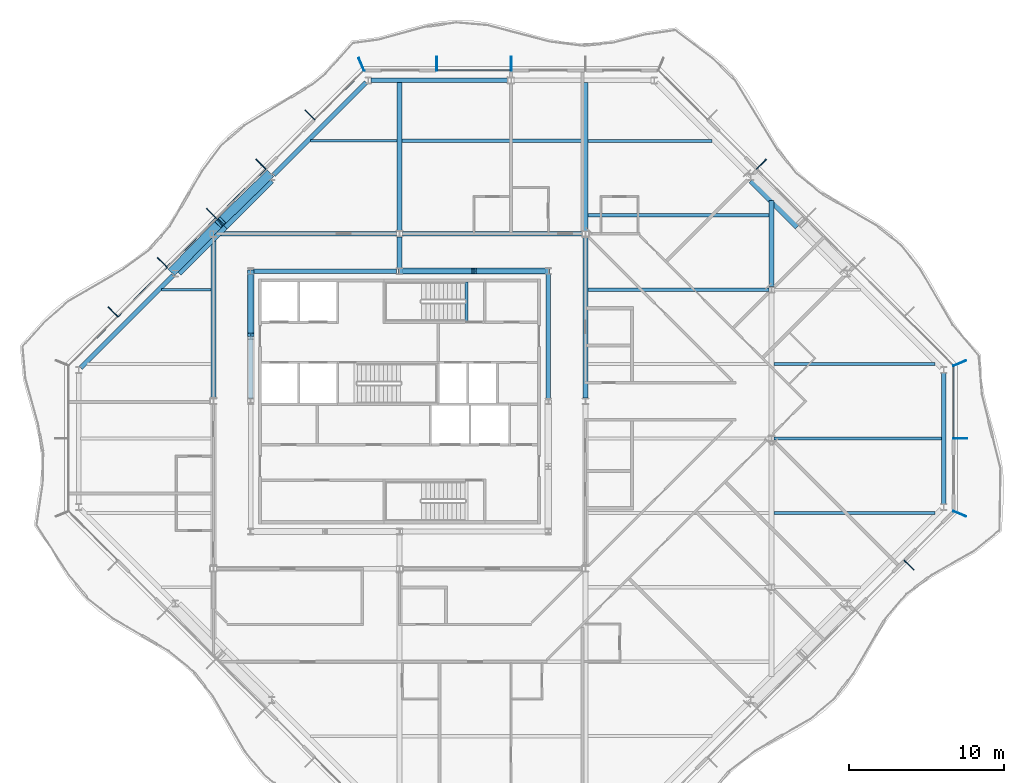
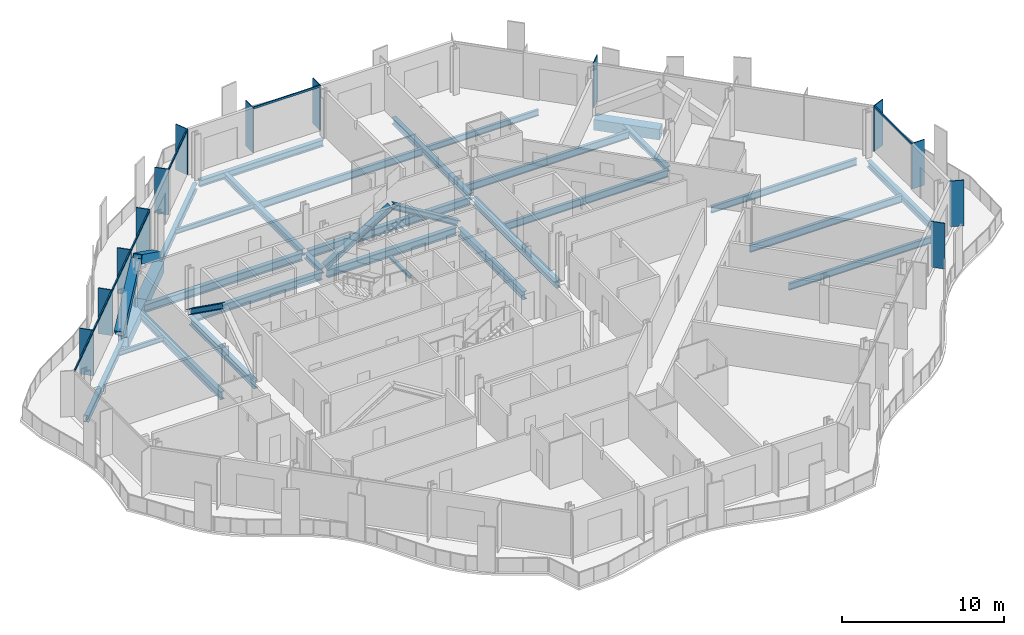
# One storey, part 4 of 17: 29 beams, 25 members, 5 elements without a shape of their own.
"""IFC4 building model written with IfcOpenShell, lengths in metres."""

from ifc_helpers import new_model, si_unit, direction, frame, origin, origin_2d, place, context, subcontext, project, spatial, rectangle, hollow_rectangle, i_section, extrude, material, material_profile, profile_set, type_object, element, aggregate, save


model = new_model("IFC4")

# Units and contexts
model_context = context("Model", 3, precision=1e-05, world=origin(), true_north=direction((0.0, 1.0)))
body_context = subcontext(model_context, "Body", "Model", "MODEL_VIEW")
ifc_project = project(units=[si_unit("LENGTHUNIT", "METRE"), si_unit("AREAUNIT", "SQUARE_METRE"), si_unit("VOLUMEUNIT", "CUBIC_METRE"), si_unit("PLANEANGLEUNIT", "RADIAN"), si_unit("MASSUNIT", "GRAM", prefix="KILO")], contexts=[model_context])

# Site, building, storey
site_placement = place(None, origin())
site = spatial("IfcSite", under=ifc_project, at=site_placement, CompositionType="ELEMENT")
building_placement = place(site_placement, origin())
building = spatial("IfcBuilding", under=site, at=building_placement, Name="Cairn Pilgrim Tower", CompositionType="ELEMENT")
storey_placement = place(building_placement, frame((0.0, 0.0, 228.60009765625)))
storey = spatial("IfcBuildingStorey", under=building, at=storey_placement, Name="L58", CompositionType="ELEMENT", Elevation=228.60009765625)

# Members
ifc_material_1 = material(Name="Structural steel S460M", Category="steel")
ifc_material_profile_1 = material_profile(ifc_material_1, hollow_rectangle(XDim=0.60009765625, YDim=0.60009765625, WallThickness=0.034912109375, at=origin_2d()), Name="BOX 600x600x35")
ifc_profile_set_1 = profile_set([ifc_material_profile_1], Name="Structural steel S460M")
member_type_1 = type_object("IfcMemberType", Name="BOX 600x600x35 BRACE", PredefinedType="BRACE", material=ifc_profile_set_1)
member_1_placement = place(storey_placement, frame((-1.22412109375, 17.00146484375, 0.14990234375), z_axis=(-0.609963251675, -0.594780866166, 0.523622528973), x_axis=(0.698140268834, -0.71596100804, 0.0)))
element("IfcMember", 1, at=member_1_placement, inside=storey, type_object=member_type_1, Name="XB-NW2-NW3-1", PredefinedType="BRACE", context=body_context, shape_type="SweptSolid", body=[
    extrude(hollow_rectangle(XDim=0.60009765625, YDim=0.60009765625, WallThickness=0.034912109375, at=origin_2d()), origin(), (0.0, 0.0, 1.0), 5.033203125),
])
member_2_placement = place(storey_placement, frame((-7.4013671875, 10.823974609375, 0.14990234375), z_axis=(0.59476326853, 0.609993709431, 0.523607036681), x_axis=(-0.715988756584, 0.698111810848, 0.0)))
element("IfcMember", 2, at=member_2_placement, inside=storey, type_object=member_type_1, Name="XB-NW2-NW3-2", PredefinedType="BRACE", context=body_context, shape_type="SweptSolid", body=[
    extrude(hollow_rectangle(XDim=0.60009765625, YDim=0.60009765625, WallThickness=0.034912109375, at=origin_2d()), origin(), (0.0, 0.0, 1.0), 5.033447265625),
])

# Beams
ifc_material_2 = material(Name="Structural steel S355J2", Category="steel")
ifc_material_profile_2 = material_profile(ifc_material_2, hollow_rectangle(XDim=0.699951171875, YDim=0.800048828125, WallThickness=0.0400390625, at=origin_2d()), Name="BOX 700x800x40")
ifc_profile_set_2 = profile_set([ifc_material_profile_2], Name="Structural steel S355J2")
beam_type_1 = type_object("IfcBeamType", Name="BOX 700x800x40 RING GIRDER", PredefinedType="SPANDREL", material=ifc_profile_set_2)
for number, where, z_axis, x_axis, name in (
    (3, (32.963623046875, 13.763671875, -0.550048828125), (-0.707106781187, 0.707106781187, 0.0), (-0.707106781187, -0.707106781187, 0.0), "RG3-NE2-NE3-2"),
    (4, (-1.183837890625, 16.743408203125, -0.550048828125), (-0.707106781187, -0.707106781187, 0.0), (0.707106781187, -0.707106781187, 0.0), "RG3-NW2-NW3-1"),
):
    element("IfcBeam", number, at=place(storey_placement, frame(where, z_axis=z_axis, x_axis=x_axis)), inside=storey, type_object=beam_type_1, Name=name, PredefinedType="SPANDREL", context=body_context, shape_type="SweptSolid", body=[
        extrude(hollow_rectangle(XDim=0.699951171875, YDim=0.800048828125, WallThickness=0.0400390625, at=origin_2d()), origin(), (0.0, 0.0, 1.0), 4.2138671875),
    ])
beam_1_placement = place(storey_placement, frame((-4.16357421875, 13.763671875, -0.550048828125), z_axis=(-0.707077813866, -0.707135747321, 0.0), x_axis=(0.707135747321, -0.707077813866, 0.0)))
element("IfcBeam", 5, at=beam_1_placement, inside=storey, type_object=beam_type_1, Name="RG3-NW2-NW3-2", PredefinedType="SPANDREL", context=body_context, shape_type="SweptSolid", body=[
    extrude(hollow_rectangle(XDim=0.699951171875, YDim=0.800048828125, WallThickness=0.0400390625, at=origin_2d()), origin(), (0.0, 0.0, 1.0), 4.214111328125),
])

# Curtain wall, member
ifc_material_3 = material(Name="Aluminium alloy 6063-T6 bronze anodised with Bronze tinted laminated low-E glass 8+16+8.8", Category="aluminium")
curtain_wall_type_1 = type_object("IfcCurtainWallType", Name="CHAMFER CORNER CURTAIN WALL", PredefinedType="NOTDEFINED", material=ifc_material_3)
curtain_wall_1_placement = place(storey_placement, origin())
curtain_wall_1 = element("IfcCurtainWall", 6, at=curtain_wall_1_placement, inside=storey, type_object=curtain_wall_type_1, Name="Chamfer Corner Curtain Wall SE", PredefinedType="NOTDEFINED")
ifc_material_4 = material(Name="Aluminium alloy 6063-T6 bronze anodised", Category="aluminium")
ifc_material_profile_3 = material_profile(ifc_material_4, rectangle(XDim=0.89990234375, YDim=0.06005859375, at=origin_2d()), Name="FIN MULLION 60x900 BRONZE")
ifc_profile_set_3 = profile_set([ifc_material_profile_3], Name="Aluminium alloy 6063-T6 bronze anodised")
member_type_2 = type_object("IfcMemberType", Name="FIN MULLION 60x900 BRONZE", PredefinedType="MULLION", material=ifc_profile_set_3)
member_3_placement = place(storey_placement, frame((40.0712890625, -8.1689453125, 0.0), z_axis=(0.0, 0.0, 1.0), x_axis=(0.707106781187, -0.707106781187, 0.0)))
member_3 = element("IfcMember", 7, at=member_3_placement, type_object=member_type_2, Name="Fin mullion SE6", PredefinedType="MULLION", context=body_context, shape_type="SweptSolid", body=[
    extrude(rectangle(XDim=0.89990234375, YDim=0.06005859375, at=origin_2d()), origin(), (0.0, 0.0, 1.0), 3.449951171875),
])
aggregate(curtain_wall_1, [member_3])

# Curtain wall, members
curtain_wall_type_2 = type_object("IfcCurtainWallType", Name="TOWER STICK CURTAIN WALL EW", PredefinedType="NOTDEFINED", material=ifc_material_3)
curtain_wall_2_placement = place(storey_placement, origin())
curtain_wall_2 = element("IfcCurtainWall", 8, at=curtain_wall_2_placement, inside=storey, type_object=curtain_wall_type_2, Name="Tower Stick Curtain Wall Ew E", PredefinedType="NOTDEFINED")
member_4_placement = place(storey_placement, frame((43.338134765625, -4.857177734375, 0.0), z_axis=(0.0, 0.0, 1.0), x_axis=(0.923879532511, -0.382683432365, 0.0)))
member_4 = element("IfcMember", 9, at=member_4_placement, type_object=member_type_2, Name="Fin mullion E1", PredefinedType="MULLION", context=body_context, shape_type="SweptSolid", body=[
    extrude(rectangle(XDim=0.89990234375, YDim=0.06005859375, at=origin_2d()), origin(), (0.0, 0.0, 1.0), 3.449951171875),
])
member_5_placement = place(storey_placement, frame((43.3701171875, 0.0, 0.0), z_axis=(0.0, 0.0, 1.0), x_axis=(1.0, 0.0, 0.0)))
member_5 = element("IfcMember", 10, at=member_5_placement, type_object=member_type_2, Name="Fin mullion E2", PredefinedType="MULLION", context=body_context, shape_type="SweptSolid", body=[
    extrude(rectangle(XDim=0.89990234375, YDim=0.06005859375, at=origin_2d()), origin(), (0.0, 0.0, 1.0), 3.449951171875),
])

curtain_wall_3_placement = place(storey_placement, origin())
curtain_wall_3 = element("IfcCurtainWall", 11, at=curtain_wall_3_placement, inside=storey, type_object=curtain_wall_type_1, Name="Chamfer Corner Curtain Wall NE", PredefinedType="NOTDEFINED")
member_6_placement = place(storey_placement, frame((43.338134765625, 4.857177734375, 0.0), z_axis=(0.0, 0.0, 1.0), x_axis=(0.923879532511, 0.382683432365, 0.0)))
member_6 = element("IfcMember", 12, at=member_6_placement, type_object=member_type_2, Name="Fin mullion NE1", PredefinedType="MULLION", context=body_context, shape_type="SweptSolid", body=[
    extrude(rectangle(XDim=0.89990234375, YDim=0.06005859375, at=origin_2d()), origin(), (0.0, 0.0, 1.0), 3.449951171875),
])
member_7_placement = place(storey_placement, frame((30.544677734375, 17.69580078125, 0.0), z_axis=(0.0, 0.0, 1.0), x_axis=(0.707106781187, 0.707106781187, 0.0)))
member_7 = element("IfcMember", 13, at=member_7_placement, type_object=member_type_2, Name="Fin mullion NE5", PredefinedType="MULLION", context=body_context, shape_type="SweptSolid", body=[
    extrude(rectangle(XDim=0.89990234375, YDim=0.06005859375, at=origin_2d()), origin(), (0.0, 0.0, 1.0), 3.449951171875),
])
aggregate(curtain_wall_3, [member_6, member_7])

curtain_wall_type_3 = type_object("IfcCurtainWallType", Name="TOWER STICK CURTAIN WALL NS", PredefinedType="NOTDEFINED", material=ifc_material_3)
curtain_wall_4_placement = place(storey_placement, origin())
curtain_wall_4 = element("IfcCurtainWall", 14, at=curtain_wall_4_placement, inside=storey, type_object=curtain_wall_type_3, Name="Tower Stick Curtain Wall Ns N", PredefinedType="NOTDEFINED")
member_8_placement = place(storey_placement, frame((14.39990234375, 24.169921875, 0.0), z_axis=(0.0, 0.0, 1.0), x_axis=(0.0, 1.0, 0.0)))
member_8 = element("IfcMember", 15, at=member_8_placement, type_object=member_type_2, Name="Fin mullion N3", PredefinedType="MULLION", context=body_context, shape_type="SweptSolid", body=[
    extrude(rectangle(XDim=0.89990234375, YDim=0.06005859375, at=origin_2d()), origin(), (0.0, 0.0, 1.0), 3.449951171875),
])
member_9_placement = place(storey_placement, frame((9.60009765625, 24.169921875, 0.0), z_axis=(0.0, 0.0, 1.0), x_axis=(0.0, 1.0, 0.0)))
member_9 = element("IfcMember", 16, at=member_9_placement, type_object=member_type_2, Name="Fin mullion N4", PredefinedType="MULLION", context=body_context, shape_type="SweptSolid", body=[
    extrude(rectangle(XDim=0.89990234375, YDim=0.06005859375, at=origin_2d()), origin(), (0.0, 0.0, 1.0), 3.449951171875),
])

curtain_wall_5_placement = place(storey_placement, origin())
curtain_wall_5 = element("IfcCurtainWall", 17, at=curtain_wall_5_placement, inside=storey, type_object=curtain_wall_type_1, Name="Chamfer Corner Curtain Wall NW", PredefinedType="NOTDEFINED")
member_10_placement = place(storey_placement, frame((4.742919921875, 24.137939453125, 0.0), z_axis=(0.0, 0.0, 1.0), x_axis=(-0.382683432365, 0.923879532511, 0.0)))
member_10 = element("IfcMember", 18, at=member_10_placement, type_object=member_type_2, Name="Fin mullion NW1", PredefinedType="MULLION", context=body_context, shape_type="SweptSolid", body=[
    extrude(rectangle(XDim=0.89990234375, YDim=0.06005859375, at=origin_2d()), origin(), (0.0, 0.0, 1.0), 3.449951171875),
])
member_11_placement = place(storey_placement, frame((1.430908203125, 20.871337890625, 0.0), z_axis=(0.0, 0.0, 1.0), x_axis=(-0.707106781187, 0.707106781187, 0.0)))
member_11 = element("IfcMember", 19, at=member_11_placement, type_object=member_type_2, Name="Fin mullion NW2", PredefinedType="MULLION", context=body_context, shape_type="SweptSolid", body=[
    extrude(rectangle(XDim=0.89990234375, YDim=0.06005859375, at=origin_2d()), origin(), (0.0, 0.0, 1.0), 3.449951171875),
])
member_12_placement = place(storey_placement, frame((-1.74462890625, 17.69580078125, 0.0), z_axis=(0.0, 0.0, 1.0), x_axis=(-0.707106781187, 0.707106781187, 0.0)))
member_12 = element("IfcMember", 20, at=member_12_placement, type_object=member_type_2, Name="Fin mullion NW3", PredefinedType="MULLION", context=body_context, shape_type="SweptSolid", body=[
    extrude(rectangle(XDim=0.89990234375, YDim=0.06005859375, at=origin_2d()), origin(), (0.0, 0.0, 1.0), 3.449951171875),
])
member_13_placement = place(storey_placement, frame((-4.920166015625, 14.520263671875, 0.0), z_axis=(0.0, 0.0, 1.0), x_axis=(-0.707106781187, 0.707106781187, 0.0)))
member_13 = element("IfcMember", 21, at=member_13_placement, type_object=member_type_2, Name="Fin mullion NW4", PredefinedType="MULLION", context=body_context, shape_type="SweptSolid", body=[
    extrude(rectangle(XDim=0.89990234375, YDim=0.06005859375, at=origin_2d()), origin(), (0.0, 0.0, 1.0), 3.449951171875),
])
member_14_placement = place(storey_placement, frame((-8.095703125, 11.3447265625, 0.0), z_axis=(0.0, 0.0, 1.0), x_axis=(-0.707106781187, 0.707106781187, 0.0)))
member_14 = element("IfcMember", 22, at=member_14_placement, type_object=member_type_2, Name="Fin mullion NW5", PredefinedType="MULLION", context=body_context, shape_type="SweptSolid", body=[
    extrude(rectangle(XDim=0.89990234375, YDim=0.06005859375, at=origin_2d()), origin(), (0.0, 0.0, 1.0), 3.449951171875),
])
member_15_placement = place(storey_placement, frame((-11.271484375, 8.1689453125, 0.0), z_axis=(0.0, 0.0, 1.0), x_axis=(-0.707106781187, 0.707106781187, 0.0)))
member_15 = element("IfcMember", 23, at=member_15_placement, type_object=member_type_2, Name="Fin mullion NW6", PredefinedType="MULLION", context=body_context, shape_type="SweptSolid", body=[
    extrude(rectangle(XDim=0.89990234375, YDim=0.06005859375, at=origin_2d()), origin(), (0.0, 0.0, 1.0), 3.449951171875),
])

# Members
ifc_material_profile_4 = material_profile(ifc_material_2, i_section(OverallWidth=0.39794921875, OverallDepth=0.386962890625, WebThickness=0.02099609375, FlangeThickness=0.033203125, FilletRadius=0.014892578125, at=origin_2d()), Name="HD 400x262")
ifc_profile_set_4 = profile_set([ifc_material_profile_4], Name="Structural steel S355J2")
member_type_3 = type_object("IfcMemberType", Name="HD 400x262 BRACE", PredefinedType="BRACE", material=ifc_profile_set_4)
for number, where, z_axis, x_axis, name in (
    (24, (16.759521484375, 10.800048828125, 0.099853515625), (-0.851160677397, 0.0, 0.524905230736), (0.0, -1.0, 0.0), "KB-3A"),
    (25, (7.240478515625, 10.800048828125, 0.099853515625), (0.851160677397, 0.0, 0.524905230736), (0.0, 1.0, 0.0), "KB-3B"),
):
    element("IfcMember", number, at=place(storey_placement, frame(where, z_axis=z_axis, x_axis=x_axis)), inside=storey, type_object=member_type_3, Name=name, PredefinedType="BRACE", context=body_context, shape_type="SweptSolid", body=[
        extrude(i_section(OverallWidth=0.39794921875, OverallDepth=0.386962890625, WebThickness=0.02099609375, FlangeThickness=0.033203125, FilletRadius=0.014892578125, at=origin_2d()), origin(), (0.0, 0.0, 1.0), 5.529296875),
    ])
member_16_placement = place(storey_placement, frame((-2.39990234375, 10.759521484375, 0.099853515625), z_axis=(0.0, -0.814412678688, 0.580286126659), x_axis=(1.0, 0.0, 0.0)))
element("IfcMember", 26, at=member_16_placement, inside=storey, type_object=member_type_3, Name="KB-4A", PredefinedType="BRACE", context=body_context, shape_type="SweptSolid", body=[
    extrude(i_section(OverallWidth=0.39794921875, OverallDepth=0.386962890625, WebThickness=0.02099609375, FlangeThickness=0.033203125, FilletRadius=0.014892578125, at=origin_2d()), origin(), (0.0, 0.0, 1.0), 4.9990234375),
])

# Beams
ifc_material_profile_5 = material_profile(ifc_material_2, i_section(OverallWidth=0.300048828125, OverallDepth=0.39990234375, WebThickness=0.013427734375, FlangeThickness=0.02392578125, FilletRadius=0.027099609375, at=origin_2d()), Name="HEB 400")
ifc_profile_set_5 = profile_set([ifc_material_profile_5], Name="Structural steel S355J2")
beam_type_2 = type_object("IfcBeamType", Name="HEB 400 GIRDER", PredefinedType="BEAM", material=ifc_profile_set_5)
beam_2_placement = place(storey_placement, frame((7.199951171875, 11.001953125, -0.35009765625), z_axis=(0.0, 1.0, 0.0), x_axis=(-1.0, 0.0, 0.0)))
element("IfcBeam", 27, at=beam_2_placement, inside=storey, type_object=beam_type_2, Name="PG3-E2", PredefinedType="BEAM", context=body_context, shape_type="SweptSolid", body=[
    extrude(i_section(OverallWidth=0.300048828125, OverallDepth=0.39990234375, WebThickness=0.013427734375, FlangeThickness=0.02392578125, FilletRadius=0.027099609375, at=origin_2d()), origin(), (0.0, 0.0, 1.0), 1.99853515625),
])
beam_3_placement = place(storey_placement, frame((31.199951171875, 9.799560546875, -0.35009765625), z_axis=(0.0, 1.0, 0.0), x_axis=(-1.0, 0.0, 0.0)))
element("IfcBeam", 28, at=beam_3_placement, inside=storey, type_object=beam_type_2, Name="PG5-4", PredefinedType="BEAM", context=body_context, shape_type="SweptSolid", body=[
    extrude(i_section(OverallWidth=0.300048828125, OverallDepth=0.39990234375, WebThickness=0.013427734375, FlangeThickness=0.02392578125, FilletRadius=0.027099609375, at=origin_2d()), origin(), (0.0, 0.0, 1.0), 5.545654296875),
])
ifc_material_profile_6 = material_profile(ifc_material_2, i_section(OverallWidth=0.300048828125, OverallDepth=0.5, WebThickness=0.014404296875, FlangeThickness=0.028076171875, FilletRadius=0.027099609375, at=origin_2d()), Name="HEB 500")
ifc_profile_set_6 = profile_set([ifc_material_profile_6], Name="Structural steel S355J2")
beam_type_3 = type_object("IfcBeamType", Name="HEB 500 GIRDER", PredefinedType="BEAM", material=ifc_profile_set_6)
for number, where, z_axis, x_axis, name in (
    (29, (7.199951171875, 13.3994140625, -0.400146484375), (0.0, 1.0, 0.0), (-1.0, 0.0, 0.0), "PG3-2"),
    (30, (19.199951171875, 13.3994140625, -0.400146484375), (0.0, 1.0, 0.0), (-1.0, 0.0, 0.0), "PG4-4"),
):
    element("IfcBeam", number, at=place(storey_placement, frame(where, z_axis=z_axis, x_axis=x_axis)), inside=storey, type_object=beam_type_3, Name=name, PredefinedType="BEAM", context=body_context, shape_type="SweptSolid", body=[
        extrude(i_section(OverallWidth=0.300048828125, OverallDepth=0.5, WebThickness=0.014404296875, FlangeThickness=0.028076171875, FilletRadius=0.027099609375, at=origin_2d()), origin(), (0.0, 0.0, 1.0), 9.58056640625),
    ])
ifc_material_profile_7 = material_profile(ifc_material_2, i_section(OverallWidth=0.300048828125, OverallDepth=0.5, WebThickness=0.014404296875, FlangeThickness=0.028076171875, FilletRadius=0.027099609375, at=origin_2d()), Name="HEB 500")
ifc_profile_set_7 = profile_set([ifc_material_profile_7], Name="Structural steel S355J2")
beam_type_4 = type_object("IfcBeamType", Name="HEB 500 RING GIRDER", PredefinedType="SPANDREL", material=ifc_profile_set_7)
beam_4_placement = place(storey_placement, frame((42.300048828125, -4.239990234375, -0.400146484375), z_axis=(0.0, 1.0, 0.0), x_axis=(-1.0, 0.0, 0.0)))
element("IfcBeam", 31, at=beam_4_placement, inside=storey, type_object=beam_type_4, Name="RG3-E1-NE1", PredefinedType="SPANDREL", context=body_context, shape_type="SweptSolid", body=[
    extrude(i_section(OverallWidth=0.300048828125, OverallDepth=0.5, WebThickness=0.014404296875, FlangeThickness=0.028076171875, FilletRadius=0.027099609375, at=origin_2d()), origin(), (0.0, 0.0, 1.0), 8.47998046875),
])
beam_5_placement = place(storey_placement, frame((14.212890625, 23.10009765625, -0.400146484375), z_axis=(-1.0, 0.0, 0.0), x_axis=(0.0, -1.0, 0.0)))
element("IfcBeam", 32, at=beam_5_placement, inside=storey, type_object=beam_type_4, Name="RG3-N2-NW1", PredefinedType="SPANDREL", context=body_context, shape_type="SweptSolid", body=[
    extrude(i_section(OverallWidth=0.300048828125, OverallDepth=0.5, WebThickness=0.014404296875, FlangeThickness=0.028076171875, FilletRadius=0.027099609375, at=origin_2d()), origin(), (0.0, 0.0, 1.0), 8.852783203125),
])
for number, where, z_axis, x_axis, name in (
    (33, (5.040283203125, 22.967529296875, -0.400146484375), (-0.707106781187, -0.707106781187, 0.0), (0.707106781187, -0.707106781187, 0.0), "RG3-NW1-NW2"),
    (34, (-7.408203125, 10.51904296875, -0.400146484375), (-0.707106781187, -0.707106781187, 0.0), (0.707106781187, -0.707106781187, 0.0), "RG3-NW3-W1"),
):
    element("IfcBeam", number, at=place(storey_placement, frame(where, z_axis=z_axis, x_axis=x_axis)), inside=storey, type_object=beam_type_4, Name=name, PredefinedType="SPANDREL", context=body_context, shape_type="SweptSolid", body=[
        extrude(i_section(OverallWidth=0.300048828125, OverallDepth=0.5, WebThickness=0.014404296875, FlangeThickness=0.028076171875, FilletRadius=0.027099609375, at=origin_2d()), origin(), (0.0, 0.0, 1.0), 8.427978515625),
    ])
ifc_material_profile_8 = material_profile(ifc_material_2, i_section(OverallWidth=0.300048828125, OverallDepth=0.60009765625, WebThickness=0.015380859375, FlangeThickness=0.030029296875, FilletRadius=0.027099609375, at=origin_2d()), Name="HEB 600")
ifc_profile_set_8 = profile_set([ifc_material_profile_8], Name="Structural steel S355J2")
beam_type_5 = type_object("IfcBeamType", Name="HEB 600 CORE BEAM", PredefinedType="BEAM", material=ifc_profile_set_8)
beam_6_placement = place(storey_placement, frame((16.800048828125, 2.581787109375, -0.4501953125), z_axis=(0.0, 1.0, 0.0), x_axis=(-1.0, 0.0, 0.0)))
element("IfcBeam", 35, at=beam_6_placement, inside=storey, type_object=beam_type_5, Name="CB-4", PredefinedType="BEAM", context=body_context, shape_type="SweptSolid", body=[
    extrude(i_section(OverallWidth=0.300048828125, OverallDepth=0.60009765625, WebThickness=0.015380859375, FlangeThickness=0.030029296875, FilletRadius=0.027099609375, at=origin_2d()), origin(), (0.0, 0.0, 1.0), 8.036376953125),
])
beam_7_placement = place(storey_placement, frame((16.6181640625, 10.800048828125, -0.4501953125), z_axis=(-1.0, 0.0, 0.0), x_axis=(0.0, -1.0, 0.0)))
element("IfcBeam", 36, at=beam_7_placement, inside=storey, type_object=beam_type_5, Name="CB-5", PredefinedType="BEAM", context=body_context, shape_type="SweptSolid", body=[
    extrude(i_section(OverallWidth=0.300048828125, OverallDepth=0.60009765625, WebThickness=0.015380859375, FlangeThickness=0.030029296875, FilletRadius=0.027099609375, at=origin_2d()), origin(), (0.0, 0.0, 1.0), 9.236328125),
])
beam_8_placement = place(storey_placement, frame((7.018310546875, 10.800048828125, -0.4501953125), z_axis=(-1.0, 0.0, 0.0), x_axis=(0.0, -1.0, 0.0)))
element("IfcBeam", 37, at=beam_8_placement, inside=storey, type_object=beam_type_5, Name="CB-6", PredefinedType="BEAM", context=body_context, shape_type="SweptSolid", body=[
    extrude(i_section(OverallWidth=0.300048828125, OverallDepth=0.60009765625, WebThickness=0.015380859375, FlangeThickness=0.030029296875, FilletRadius=0.027099609375, at=origin_2d()), origin(), (0.0, 0.0, 1.0), 9.236572265625),
])
beam_9_placement = place(storey_placement, frame((-2.39990234375, 10.6181640625, -0.4501953125), z_axis=(0.0, -1.0, 0.0), x_axis=(1.0, 0.0, 0.0)))
element("IfcBeam", 38, at=beam_9_placement, inside=storey, type_object=beam_type_5, Name="CB-7", PredefinedType="BEAM", context=body_context, shape_type="SweptSolid", body=[
    extrude(i_section(OverallWidth=0.300048828125, OverallDepth=0.60009765625, WebThickness=0.015380859375, FlangeThickness=0.030029296875, FilletRadius=0.027099609375, at=origin_2d()), origin(), (0.0, 0.0, 1.0), 8.036376953125),
])
ifc_material_profile_9 = material_profile(ifc_material_2, i_section(OverallWidth=0.300048828125, OverallDepth=0.60009765625, WebThickness=0.015380859375, FlangeThickness=0.030029296875, FilletRadius=0.027099609375, at=origin_2d()), Name="HEB 600")
ifc_profile_set_9 = profile_set([ifc_material_profile_9], Name="Structural steel S355J2")
beam_type_6 = type_object("IfcBeamType", Name="HEB 600 GIRDER", PredefinedType="BEAM", material=ifc_profile_set_9)
beam_10_placement = place(storey_placement, frame((-4.800048828125, 2.599609375, -0.4501953125), z_axis=(0.0, 1.0, 0.0), x_axis=(-1.0, 0.0, 0.0)))
element("IfcBeam", 39, at=beam_10_placement, inside=storey, type_object=beam_type_6, Name="PG2-3", PredefinedType="BEAM", context=body_context, shape_type="SweptSolid", body=[
    extrude(i_section(OverallWidth=0.300048828125, OverallDepth=0.60009765625, WebThickness=0.015380859375, FlangeThickness=0.030029296875, FilletRadius=0.027099609375, at=origin_2d()), origin(), (0.0, 0.0, 1.0), 10.345458984375),
])
beam_11_placement = place(storey_placement, frame((19.199951171875, 2.599609375, -0.4501953125), z_axis=(0.0, 1.0, 0.0), x_axis=(-1.0, 0.0, 0.0)))
element("IfcBeam", 40, at=beam_11_placement, inside=storey, type_object=beam_type_6, Name="PG4-3", PredefinedType="BEAM", context=body_context, shape_type="SweptSolid", body=[
    extrude(i_section(OverallWidth=0.300048828125, OverallDepth=0.60009765625, WebThickness=0.015380859375, FlangeThickness=0.030029296875, FilletRadius=0.027099609375, at=origin_2d()), origin(), (0.0, 0.0, 1.0), 10.40087890625),
])
ifc_material_profile_10 = material_profile(ifc_material_2, i_section(OverallWidth=0.300048828125, OverallDepth=0.60009765625, WebThickness=0.015380859375, FlangeThickness=0.030029296875, FilletRadius=0.027099609375, at=origin_2d()), Name="HEB 600")
ifc_profile_set_10 = profile_set([ifc_material_profile_10], Name="Structural steel S355J2")
beam_type_7 = type_object("IfcBeamType", Name="HEB 600 INNER GIRDER", PredefinedType="BEAM", material=ifc_profile_set_10)
for number, where, z_axis, x_axis, name in (
    (41, (-4.6005859375, 13.199951171875, -0.4501953125), (1.0, 0.0, 0.0), (0.0, 1.0, 0.0), "IG2-1"),
    (42, (7.3994140625, 13.199951171875, -0.4501953125), (1.0, 0.0, 0.0), (0.0, 1.0, 0.0), "IG2-2"),
):
    element("IfcBeam", number, at=place(storey_placement, frame(where, z_axis=z_axis, x_axis=x_axis)), inside=storey, type_object=beam_type_7, Name=name, PredefinedType="BEAM", context=body_context, shape_type="SweptSolid", body=[
        extrude(i_section(OverallWidth=0.300048828125, OverallDepth=0.60009765625, WebThickness=0.015380859375, FlangeThickness=0.030029296875, FilletRadius=0.027099609375, at=origin_2d()), origin(), (0.0, 0.0, 1.0), 11.60107421875),
    ])
ifc_material_profile_11 = material_profile(ifc_material_2, i_section(OverallWidth=0.169921875, OverallDepth=0.360107421875, WebThickness=0.008056640625, FlangeThickness=0.0126953125, FilletRadius=0.01806640625, at=origin_2d()), Name="IPE 360")
ifc_profile_set_11 = profile_set([ifc_material_profile_11], Name="Structural steel S355J2")
beam_type_8 = type_object("IfcBeamType", Name="IPE 360 SECONDARY BEAM", PredefinedType="JOIST", material=ifc_profile_set_11)
beam_12_placement = place(storey_placement, frame((-8.14501953125, 9.60009765625, -0.330078125), z_axis=(1.0, 0.0, 0.0), x_axis=(0.0, 1.0, 0.0)))
element("IfcBeam", 43, at=beam_12_placement, inside=storey, type_object=beam_type_8, Name="SB7-1", PredefinedType="JOIST", context=body_context, shape_type="SweptSolid", body=[
    extrude(i_section(OverallWidth=0.169921875, OverallDepth=0.360107421875, WebThickness=0.008056640625, FlangeThickness=0.0126953125, FilletRadius=0.01806640625, at=origin_2d()), origin(), (0.0, 0.0, 1.0), 3.195068359375),
])
beam_13_placement = place(storey_placement, frame((1.454833984375, 19.199951171875, -0.330078125), z_axis=(1.0, 0.0, 0.0), x_axis=(0.0, 1.0, 0.0)))
element("IfcBeam", 44, at=beam_13_placement, inside=storey, type_object=beam_type_8, Name="SB9-1", PredefinedType="JOIST", context=body_context, shape_type="SweptSolid", body=[
    extrude(i_section(OverallWidth=0.169921875, OverallDepth=0.360107421875, WebThickness=0.008056640625, FlangeThickness=0.0126953125, FilletRadius=0.01806640625, at=origin_2d()), origin(), (0.0, 0.0, 1.0), 5.59521484375),
])
ifc_material_profile_12 = material_profile(ifc_material_2, i_section(OverallWidth=0.18994140625, OverallDepth=0.449951171875, WebThickness=0.009521484375, FlangeThickness=0.0146484375, FilletRadius=0.02099609375, at=origin_2d()), Name="IPE 450")
ifc_profile_set_12 = profile_set([ifc_material_profile_12], Name="Structural steel S355J2")
beam_type_9 = type_object("IfcBeamType", Name="IPE 450 SECONDARY BEAM", PredefinedType="JOIST", material=ifc_profile_set_12)
beam_14_placement = place(storey_placement, frame((19.35009765625, 19.199951171875, -0.375), z_axis=(1.0, 0.0, 0.0), x_axis=(0.0, 1.0, 0.0)))
element("IfcBeam", 45, at=beam_14_placement, inside=storey, type_object=beam_type_9, Name="SB9-3", PredefinedType="JOIST", context=body_context, shape_type="SweptSolid", body=[
    extrude(i_section(OverallWidth=0.18994140625, OverallDepth=0.449951171875, WebThickness=0.009521484375, FlangeThickness=0.0146484375, FilletRadius=0.02099609375, at=origin_2d()), origin(), (0.0, 0.0, 1.0), 7.9951171875),
])
ifc_material_profile_13 = material_profile(ifc_material_2, i_section(OverallWidth=0.199951171875, OverallDepth=0.5, WebThickness=0.01025390625, FlangeThickness=0.01611328125, FilletRadius=0.02099609375, at=origin_2d()), Name="IPE 500")
ifc_profile_set_13 = profile_set([ifc_material_profile_13], Name="Structural steel S355J2")
beam_type_10 = type_object("IfcBeamType", Name="IPE 500 SECONDARY BEAM", PredefinedType="JOIST", material=ifc_profile_set_13)
for number, where, z_axis, x_axis, name in (
    (46, (31.35009765625, -4.800048828125, -0.400146484375), (1.0, 0.0, 0.0), (0.0, 1.0, 0.0), "SB4-3"),
    (47, (31.35009765625, 4.800048828125, -0.400146484375), (1.0, 0.0, 0.0), (0.0, 1.0, 0.0), "SB6-3"),
):
    element("IfcBeam", number, at=place(storey_placement, frame(where, z_axis=z_axis, x_axis=x_axis)), inside=storey, type_object=beam_type_10, Name=name, PredefinedType="JOIST", context=body_context, shape_type="SweptSolid", body=[
        extrude(i_section(OverallWidth=0.199951171875, OverallDepth=0.5, WebThickness=0.01025390625, FlangeThickness=0.01611328125, FilletRadius=0.02099609375, at=origin_2d()), origin(), (0.0, 0.0, 1.0), 10.39501953125),
    ])
ifc_material_profile_14 = material_profile(ifc_material_2, i_section(OverallWidth=0.2099609375, OverallDepth=0.550048828125, WebThickness=0.010986328125, FlangeThickness=0.01708984375, FilletRadius=0.02392578125, at=origin_2d()), Name="IPE 550")
ifc_profile_set_14 = profile_set([ifc_material_profile_14], Name="Structural steel S355J2")
beam_type_11 = type_object("IfcBeamType", Name="IPE 550 SECONDARY BEAM", PredefinedType="JOIST", material=ifc_profile_set_14)
beam_15_placement = place(storey_placement, frame((31.35009765625, 0.0, -0.425048828125), z_axis=(1.0, 0.0, 0.0), x_axis=(0.0, 1.0, 0.0)))
element("IfcBeam", 48, at=beam_15_placement, inside=storey, type_object=beam_type_11, Name="SB5-3", PredefinedType="JOIST", context=body_context, shape_type="SweptSolid", body=[
    extrude(i_section(OverallWidth=0.2099609375, OverallDepth=0.550048828125, WebThickness=0.010986328125, FlangeThickness=0.01708984375, FilletRadius=0.02392578125, at=origin_2d()), origin(), (0.0, 0.0, 1.0), 10.829833984375),
])
for number, where, z_axis, x_axis, name in (
    (49, (19.35009765625, 9.60009765625, -0.425048828125), (1.0, 0.0, 0.0), (0.0, 1.0, 0.0), "SB7-2"),
    (50, (19.35009765625, 14.39990234375, -0.425048828125), (1.0, 0.0, 0.0), (0.0, 1.0, 0.0), "SB8-1"),
    (51, (7.35009765625, 19.199951171875, -0.425048828125), (1.0, 0.0, 0.0), (0.0, 1.0, 0.0), "SB9-2"),
):
    element("IfcBeam", number, at=place(storey_placement, frame(where, z_axis=z_axis, x_axis=x_axis)), inside=storey, type_object=beam_type_11, Name=name, PredefinedType="JOIST", context=body_context, shape_type="SweptSolid", body=[
        extrude(i_section(OverallWidth=0.2099609375, OverallDepth=0.550048828125, WebThickness=0.010986328125, FlangeThickness=0.01708984375, FilletRadius=0.02392578125, at=origin_2d()), origin(), (0.0, 0.0, 1.0), 11.699951171875),
    ])
ifc_material_profile_15 = material_profile(ifc_material_2, i_section(OverallWidth=0.199951171875, OverallDepth=0.199951171875, WebThickness=0.009033203125, FlangeThickness=0.014892578125, FilletRadius=0.01806640625, at=origin_2d()), Name="HE 200 B")
ifc_profile_set_15 = profile_set([ifc_material_profile_15], Name="Structural steel S355J2")
beam_type_12 = type_object("IfcBeamType", Name="STAIR LANDING BEAM HE 200 B", PredefinedType="BEAM", material=ifc_profile_set_15)
beam_16_placement = place(storey_placement, frame((11.5244140625, 10.10009765625, -0.25), z_axis=(0.0, -1.0, 0.0), x_axis=(1.0, 0.0, 0.0)))
element("IfcBeam", 52, at=beam_16_placement, inside=storey, type_object=beam_type_12, Name="STAIR LANDING BEAM LD-HE200B", PredefinedType="BEAM", context=body_context, shape_type="SweptSolid", body=[
    extrude(i_section(OverallWidth=0.199951171875, OverallDepth=0.199951171875, WebThickness=0.009033203125, FlangeThickness=0.014892578125, FilletRadius=0.01806640625, at=origin_2d()), origin(), (0.0, 0.0, 1.0), 2.525146484375),
])

# Member
ifc_material_profile_16 = material_profile(ifc_material_4, rectangle(XDim=0.080078125, YDim=0.14990234375, at=origin_2d()), Name="TRANSOM 80x150 BRONZE")
ifc_profile_set_16 = profile_set([ifc_material_profile_16], Name="Aluminium alloy 6063-T6 bronze anodised")
member_type_4 = type_object("IfcMemberType", Name="TRANSOM 80x150 BRONZE", PredefinedType="USERDEFINED", material=ifc_profile_set_16)
member_17_placement = place(storey_placement, frame((42.949951171875, 0.030029296875, 3.375), z_axis=(0.0, 1.0, 0.0), x_axis=(-1.0, 0.0, 0.0)))
member_17 = element("IfcMember", 53, at=member_17_placement, type_object=member_type_4, Name="Transom E2", ObjectType="TRANSOM", PredefinedType="USERDEFINED", context=body_context, shape_type="SweptSolid", body=[
    extrude(rectangle(XDim=0.080078125, YDim=0.14990234375, at=origin_2d()), origin(), (0.0, 0.0, 1.0), 4.62646484375),
])

aggregate(curtain_wall_2, [member_4, member_5, member_17])

member_18_placement = place(storey_placement, frame((14.3701171875, 23.75, 3.375), z_axis=(-1.0, 0.0, 0.0), x_axis=(0.0, -1.0, 0.0)))
member_18 = element("IfcMember", 54, at=member_18_placement, type_object=member_type_4, Name="Transom N3", ObjectType="TRANSOM", PredefinedType="USERDEFINED", context=body_context, shape_type="SweptSolid", body=[
    extrude(rectangle(XDim=0.080078125, YDim=0.14990234375, at=origin_2d()), origin(), (0.0, 0.0, 1.0), 4.740234375),
])

aggregate(curtain_wall_4, [member_8, member_9, member_18])

member_19_placement = place(storey_placement, frame((4.875244140625, 23.7216796875, 3.375), z_axis=(-0.707106781187, -0.707106781187, 0.0), x_axis=(0.707106781187, -0.707106781187, 0.0)))
member_19 = element("IfcMember", 55, at=member_19_placement, type_object=member_type_4, Name="Transom NW1", ObjectType="TRANSOM", PredefinedType="USERDEFINED", context=body_context, shape_type="SweptSolid", body=[
    extrude(rectangle(XDim=0.080078125, YDim=0.14990234375, at=origin_2d()), origin(), (0.0, 0.0, 1.0), 4.4208984375),
])

member_20_placement = place(storey_placement, frame((-1.46875, 17.377685546875, 3.375), z_axis=(-0.707106781187, -0.707106781187, 0.0), x_axis=(0.707106781187, -0.707106781187, 0.0)))
member_20 = element("IfcMember", 56, at=member_20_placement, type_object=member_type_4, Name="Transom NW3", ObjectType="TRANSOM", PredefinedType="USERDEFINED", context=body_context, shape_type="SweptSolid", body=[
    extrude(rectangle(XDim=0.080078125, YDim=0.14990234375, at=origin_2d()), origin(), (0.0, 0.0, 1.0), 4.43115234375),
])

member_21_placement = place(storey_placement, frame((-4.64453125, 14.201904296875, 3.375), z_axis=(-0.707106781187, -0.707106781187, 0.0), x_axis=(0.707106781187, -0.707106781187, 0.0)))
member_21 = element("IfcMember", 57, at=member_21_placement, type_object=member_type_4, Name="Transom NW4", ObjectType="TRANSOM", PredefinedType="USERDEFINED", context=body_context, shape_type="SweptSolid", body=[
    extrude(rectangle(XDim=0.080078125, YDim=0.14990234375, at=origin_2d()), origin(), (0.0, 0.0, 1.0), 4.430908203125),
])

member_22_placement = place(storey_placement, frame((-7.820068359375, 11.0263671875, 3.375), z_axis=(-0.707106781187, -0.707106781187, 0.0), x_axis=(0.707106781187, -0.707106781187, 0.0)))
member_22 = element("IfcMember", 58, at=member_22_placement, type_object=member_type_4, Name="Transom NW5", ObjectType="TRANSOM", PredefinedType="USERDEFINED", context=body_context, shape_type="SweptSolid", body=[
    extrude(rectangle(XDim=0.080078125, YDim=0.14990234375, at=origin_2d()), origin(), (0.0, 0.0, 1.0), 4.430908203125),
])

member_23_placement = place(storey_placement, frame((-10.99560546875, 7.850830078125, 3.375), z_axis=(-0.707106781187, -0.707106781187, 0.0), x_axis=(0.707106781187, -0.707106781187, 0.0)))
member_23 = element("IfcMember", 59, at=member_23_placement, type_object=member_type_4, Name="Transom NW6", ObjectType="TRANSOM", PredefinedType="USERDEFINED", context=body_context, shape_type="SweptSolid", body=[
    extrude(rectangle(XDim=0.080078125, YDim=0.14990234375, at=origin_2d()), origin(), (0.0, 0.0, 1.0), 4.421142578125),
])

aggregate(curtain_wall_5, [member_10, member_11, member_12, member_13, member_14, member_15, member_19, member_20, member_21, member_22, member_23])

save(model, "model.ifc")
